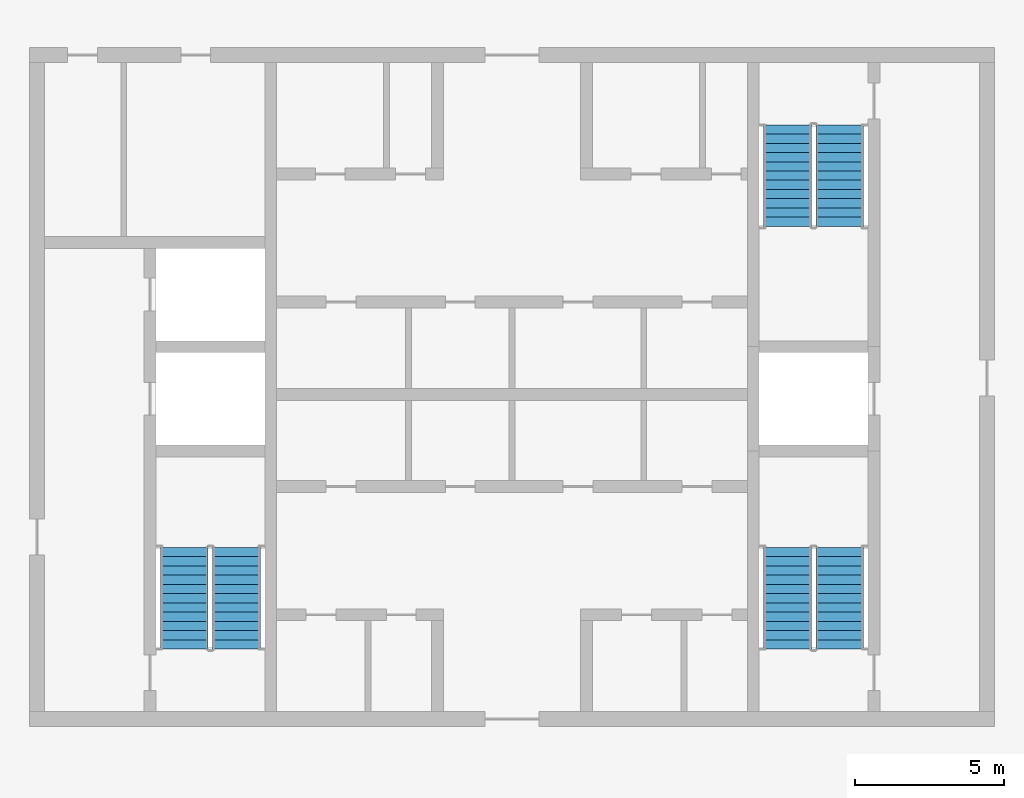
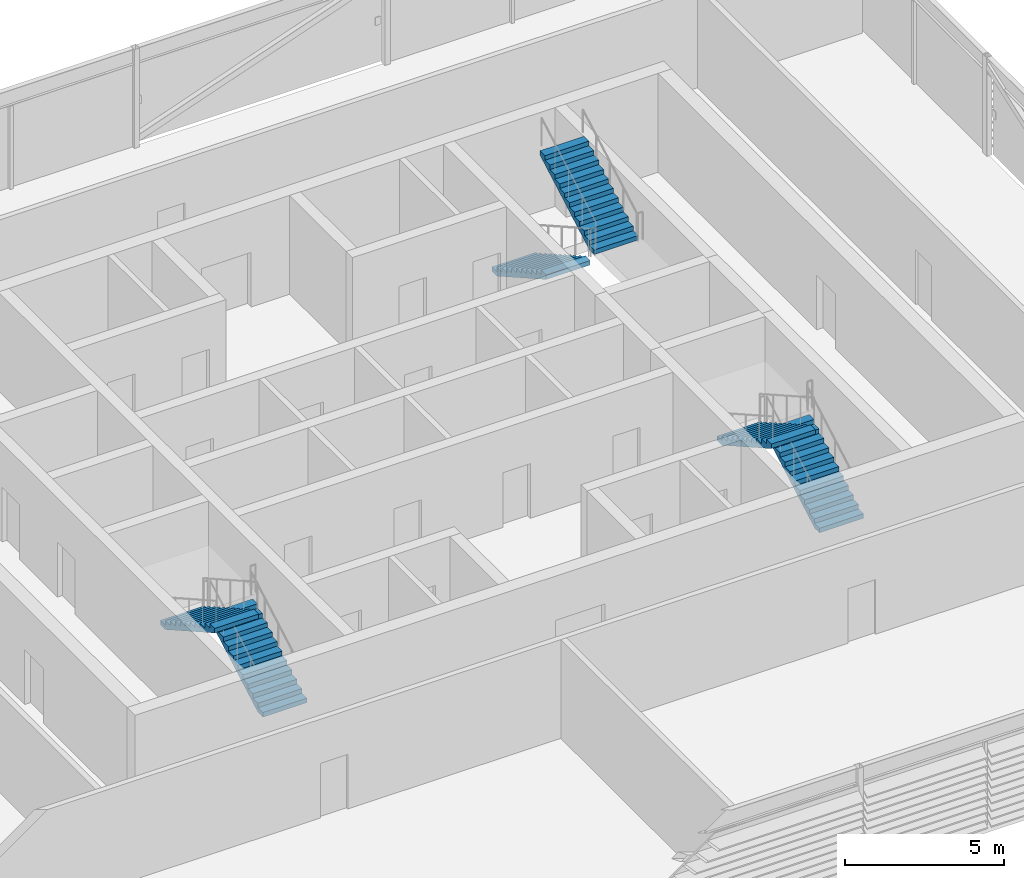
# One storey, part 17 of 28: 6 stair flights, 3 elements without a shape of their own.
"""IFC4 building model written with IfcOpenShell, lengths in metres."""

from ifc_helpers import new_model, si_unit, direction, frame, origin, place, context, subcontext, project, spatial, polyline, outline, extrude, material, type_object, element, aggregate, save


model = new_model("IFC4")

# Units and contexts
model_context = context("Model", 3, precision=1e-05, world=origin(), true_north=direction((0.0, 1.0)))
body_context = subcontext(model_context, "Body", "Model", "MODEL_VIEW")
ifc_project = project(units=[si_unit("LENGTHUNIT", "METRE"), si_unit("AREAUNIT", "SQUARE_METRE"), si_unit("VOLUMEUNIT", "CUBIC_METRE"), si_unit("PLANEANGLEUNIT", "RADIAN"), si_unit("MASSUNIT", "GRAM", prefix="KILO")], contexts=[model_context])

# Site, building, storey
site_placement = place(None, origin())
site = spatial("IfcSite", under=ifc_project, at=site_placement, CompositionType="ELEMENT")
building_placement = place(site_placement, origin())
building = spatial("IfcBuilding", under=site, at=building_placement, Name="Madar Terraces", CompositionType="ELEMENT")
storey_placement = place(building_placement, frame((0.0, 0.0, 310.10009765625)))
storey = spatial("IfcBuildingStorey", under=building, at=storey_placement, Name="L80", CompositionType="ELEMENT", Elevation=310.10009765625)

# Stair, stair flights
ifc_material_1 = material(Name="Concrete C50/60", Category="concrete")
stair_type_1 = type_object("IfcStairType", Name="Stair ST1 protected exit", PredefinedType="HALF_TURN_STAIR", material=ifc_material_1)
stair_1_placement = place(storey_placement, origin())
stair_1 = element("IfcStair", 1, at=stair_1_placement, inside=storey, type_object=stair_type_1, Name="L80 Protected Exit Stair ST1", PredefinedType="HALF_TURN_STAIR")
ifc_material_2 = material(Name="Concrete C50/60", Category="concrete")
stair_flight_type_1 = type_object("IfcStairFlightType", Name="Stair flight ST1-F6, 1600 wide, 12 risers", PredefinedType="STRAIGHT", material=ifc_material_2)
stair_flight_1_placement = place(storey_placement, frame((21.949951171875, 17.60009765625, 0.0), z_axis=(0.0, 0.0, 1.0), x_axis=(0.0, 1.0, 0.0)))
stair_flight_1 = element("IfcStairFlight", 2, at=stair_flight_1_placement, type_object=stair_flight_type_1, Name="ST1 flight 1", NumberOfRisers=12, NumberOfTreads=11, PredefinedType="STRAIGHT", RiserHeight=0.175, TreadLength=0.31, context=body_context, shape_type="SweptSolid", body=[
    extrude(outline(polyline([(0.0, 0.0), (0.0, 0.175048828125), (0.31005859375, 0.175048828125), (0.31005859375, 0.35009765625), (0.6201171875, 0.35009765625), (0.6201171875, 0.52490234375), (0.929931640625, 0.52490234375), (0.929931640625, 0.699951171875), (1.239990234375, 0.699951171875), (1.239990234375, 0.875), (1.550048828125, 0.875), (1.550048828125, 1.050048828125), (1.860107421875, 1.050048828125), (1.860107421875, 1.22509765625), (2.169921875, 1.22509765625), (2.169921875, 1.39990234375), (2.47998046875, 1.39990234375), (2.47998046875, 1.574951171875), (2.7900390625, 1.574951171875), (2.7900390625, 1.75), (3.10009765625, 1.75), (3.10009765625, 1.925048828125), (3.409912109375, 1.925048828125), (3.409912109375, 2.10009765625), (3.409912109375, 1.7529296875), (0.304931640625, 0.0), (0.0, 0.0)])), frame((0.0, 0.800048828125, 0.0), z_axis=(0.0, -1.0, 0.0), x_axis=(1.0, 0.0, 0.0)), (0.0, 0.0, 1.0), 1.60009765625),
])
stair_flight_2_placement = place(storey_placement, frame((20.199951171875, 21.010009765625, 2.099853515625), z_axis=(0.0, 0.0, 1.0), x_axis=(0.0, -1.0, 0.0)))
stair_flight_2 = element("IfcStairFlight", 3, at=stair_flight_2_placement, type_object=stair_flight_type_1, Name="ST1 flight 2", NumberOfRisers=12, NumberOfTreads=11, PredefinedType="STRAIGHT", RiserHeight=0.175, TreadLength=0.31, context=body_context, shape_type="SweptSolid", body=[
    extrude(outline(polyline([(0.0, 0.0), (0.0, 0.175048828125), (0.31005859375, 0.175048828125), (0.31005859375, 0.35009765625), (0.6201171875, 0.35009765625), (0.6201171875, 0.52490234375), (0.929931640625, 0.52490234375), (0.929931640625, 0.699951171875), (1.239990234375, 0.699951171875), (1.239990234375, 0.875), (1.550048828125, 0.875), (1.550048828125, 1.050048828125), (1.860107421875, 1.050048828125), (1.860107421875, 1.22509765625), (2.169921875, 1.22509765625), (2.169921875, 1.39990234375), (2.47998046875, 1.39990234375), (2.47998046875, 1.574951171875), (2.7900390625, 1.574951171875), (2.7900390625, 1.75), (3.10009765625, 1.75), (3.10009765625, 1.925048828125), (3.409912109375, 1.925048828125), (3.409912109375, 2.10009765625), (3.409912109375, 1.7529296875), (0.304931640625, 0.0), (0.0, 0.0)])), frame((0.0, 0.800048828125, 0.0), z_axis=(0.0, -1.0, 0.0), x_axis=(1.0, 0.0, 0.0)), (0.0, 0.0, 1.0), 1.60009765625),
])
aggregate(stair_1, [stair_flight_1, stair_flight_2])

ifc_material_3 = material(Name="Concrete C50/60", Category="concrete")
stair_type_2 = type_object("IfcStairType", Name="Stair ST2 protected exit", PredefinedType="HALF_TURN_STAIR", material=ifc_material_3)
stair_2_placement = place(storey_placement, origin())
stair_2 = element("IfcStair", 4, at=stair_2_placement, inside=storey, type_object=stair_type_2, Name="L80 Protected Exit Stair ST2", PredefinedType="HALF_TURN_STAIR")
ifc_material_4 = material(Name="Concrete C50/60", Category="concrete")
stair_flight_type_2 = type_object("IfcStairFlightType", Name="Stair flight ST2-F6, 1600 wide, 12 risers", PredefinedType="STRAIGHT", material=ifc_material_4)
stair_flight_3_placement = place(storey_placement, frame((40.449951171875, 35.199951171875, 0.0), z_axis=(0.0, 0.0, 1.0), x_axis=(0.0, -1.0, 0.0)))
stair_flight_3 = element("IfcStairFlight", 5, at=stair_flight_3_placement, type_object=stair_flight_type_2, Name="ST2 flight 1", NumberOfRisers=12, NumberOfTreads=11, PredefinedType="STRAIGHT", RiserHeight=0.175, TreadLength=0.31, context=body_context, shape_type="SweptSolid", body=[
    extrude(outline(polyline([(0.0, 0.0), (0.0, 0.175048828125), (0.31005859375, 0.175048828125), (0.31005859375, 0.35009765625), (0.6201171875, 0.35009765625), (0.6201171875, 0.52490234375), (0.929931640625, 0.52490234375), (0.929931640625, 0.699951171875), (1.239990234375, 0.699951171875), (1.239990234375, 0.875), (1.550048828125, 0.875), (1.550048828125, 1.050048828125), (1.860107421875, 1.050048828125), (1.860107421875, 1.22509765625), (2.169921875, 1.22509765625), (2.169921875, 1.39990234375), (2.47998046875, 1.39990234375), (2.47998046875, 1.574951171875), (2.7900390625, 1.574951171875), (2.7900390625, 1.75), (3.10009765625, 1.75), (3.10009765625, 1.925048828125), (3.409912109375, 1.925048828125), (3.409912109375, 2.10009765625), (3.409912109375, 1.7529296875), (0.304931640625, 0.0), (0.0, 0.0)])), frame((0.0, 0.800048828125, 0.0), z_axis=(0.0, -1.0, 0.0), x_axis=(1.0, 0.0, 0.0)), (0.0, 0.0, 1.0), 1.60009765625),
])
stair_flight_4_placement = place(storey_placement, frame((42.199951171875, 31.7900390625, 2.099853515625), z_axis=(0.0, 0.0, 1.0), x_axis=(0.0, 1.0, 0.0)))
stair_flight_4 = element("IfcStairFlight", 6, at=stair_flight_4_placement, type_object=stair_flight_type_2, Name="ST2 flight 2", NumberOfRisers=12, NumberOfTreads=11, PredefinedType="STRAIGHT", RiserHeight=0.175, TreadLength=0.31, context=body_context, shape_type="SweptSolid", body=[
    extrude(outline(polyline([(0.0, 0.0), (0.0, 0.175048828125), (0.31005859375, 0.175048828125), (0.31005859375, 0.35009765625), (0.6201171875, 0.35009765625), (0.6201171875, 0.52490234375), (0.929931640625, 0.52490234375), (0.929931640625, 0.699951171875), (1.239990234375, 0.699951171875), (1.239990234375, 0.875), (1.550048828125, 0.875), (1.550048828125, 1.050048828125), (1.860107421875, 1.050048828125), (1.860107421875, 1.22509765625), (2.169921875, 1.22509765625), (2.169921875, 1.39990234375), (2.47998046875, 1.39990234375), (2.47998046875, 1.574951171875), (2.7900390625, 1.574951171875), (2.7900390625, 1.75), (3.10009765625, 1.75), (3.10009765625, 1.925048828125), (3.409912109375, 1.925048828125), (3.409912109375, 2.10009765625), (3.409912109375, 1.7529296875), (0.304931640625, 0.0), (0.0, 0.0)])), frame((0.0, 0.800048828125, 0.0), z_axis=(0.0, -1.0, 0.0), x_axis=(1.0, 0.0, 0.0)), (0.0, 0.0, 1.0), 1.60009765625),
])
aggregate(stair_2, [stair_flight_3, stair_flight_4])

ifc_material_5 = material(Name="Concrete C50/60", Category="concrete")
stair_type_3 = type_object("IfcStairType", Name="Stair ST3 protected exit", PredefinedType="HALF_TURN_STAIR", material=ifc_material_5)
stair_3_placement = place(storey_placement, origin())
stair_3 = element("IfcStair", 7, at=stair_3_placement, inside=storey, type_object=stair_type_3, Name="L80 Protected Exit Stair ST3", PredefinedType="HALF_TURN_STAIR")
ifc_material_6 = material(Name="Concrete C50/60", Category="concrete")
stair_flight_type_3 = type_object("IfcStairFlightType", Name="Stair flight ST3-F6, 1600 wide, 12 risers", PredefinedType="STRAIGHT", material=ifc_material_6)
stair_flight_5_placement = place(storey_placement, frame((42.199951171875, 17.60009765625, 0.0), z_axis=(0.0, 0.0, 1.0), x_axis=(0.0, 1.0, 0.0)))
stair_flight_5 = element("IfcStairFlight", 8, at=stair_flight_5_placement, type_object=stair_flight_type_3, Name="ST3 flight 1", NumberOfRisers=12, NumberOfTreads=11, PredefinedType="STRAIGHT", RiserHeight=0.175, TreadLength=0.31, context=body_context, shape_type="SweptSolid", body=[
    extrude(outline(polyline([(0.0, 0.0), (0.0, 0.175048828125), (0.31005859375, 0.175048828125), (0.31005859375, 0.35009765625), (0.6201171875, 0.35009765625), (0.6201171875, 0.52490234375), (0.929931640625, 0.52490234375), (0.929931640625, 0.699951171875), (1.239990234375, 0.699951171875), (1.239990234375, 0.875), (1.550048828125, 0.875), (1.550048828125, 1.050048828125), (1.860107421875, 1.050048828125), (1.860107421875, 1.22509765625), (2.169921875, 1.22509765625), (2.169921875, 1.39990234375), (2.47998046875, 1.39990234375), (2.47998046875, 1.574951171875), (2.7900390625, 1.574951171875), (2.7900390625, 1.75), (3.10009765625, 1.75), (3.10009765625, 1.925048828125), (3.409912109375, 1.925048828125), (3.409912109375, 2.10009765625), (3.409912109375, 1.7529296875), (0.304931640625, 0.0), (0.0, 0.0)])), frame((0.0, 0.800048828125, 0.0), z_axis=(0.0, -1.0, 0.0), x_axis=(1.0, 0.0, 0.0)), (0.0, 0.0, 1.0), 1.60009765625),
])
stair_flight_6_placement = place(storey_placement, frame((40.449951171875, 21.010009765625, 2.099853515625), z_axis=(0.0, 0.0, 1.0), x_axis=(0.0, -1.0, 0.0)))
stair_flight_6 = element("IfcStairFlight", 9, at=stair_flight_6_placement, type_object=stair_flight_type_3, Name="ST3 flight 2", NumberOfRisers=12, NumberOfTreads=11, PredefinedType="STRAIGHT", RiserHeight=0.175, TreadLength=0.31, context=body_context, shape_type="SweptSolid", body=[
    extrude(outline(polyline([(0.0, 0.0), (0.0, 0.175048828125), (0.31005859375, 0.175048828125), (0.31005859375, 0.35009765625), (0.6201171875, 0.35009765625), (0.6201171875, 0.52490234375), (0.929931640625, 0.52490234375), (0.929931640625, 0.699951171875), (1.239990234375, 0.699951171875), (1.239990234375, 0.875), (1.550048828125, 0.875), (1.550048828125, 1.050048828125), (1.860107421875, 1.050048828125), (1.860107421875, 1.22509765625), (2.169921875, 1.22509765625), (2.169921875, 1.39990234375), (2.47998046875, 1.39990234375), (2.47998046875, 1.574951171875), (2.7900390625, 1.574951171875), (2.7900390625, 1.75), (3.10009765625, 1.75), (3.10009765625, 1.925048828125), (3.409912109375, 1.925048828125), (3.409912109375, 2.10009765625), (3.409912109375, 1.7529296875), (0.304931640625, 0.0), (0.0, 0.0)])), frame((0.0, 0.800048828125, 0.0), z_axis=(0.0, -1.0, 0.0), x_axis=(1.0, 0.0, 0.0)), (0.0, 0.0, 1.0), 1.60009765625),
])
aggregate(stair_3, [stair_flight_5, stair_flight_6])

save(model, "model.ifc")
